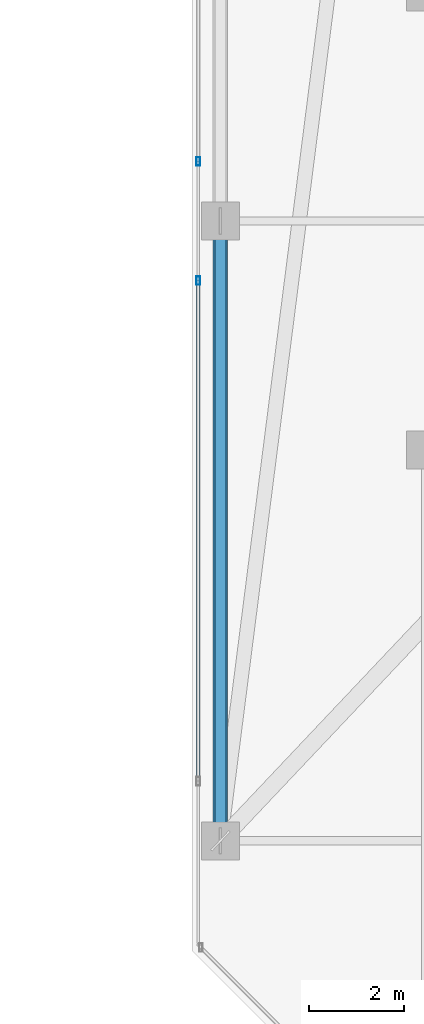
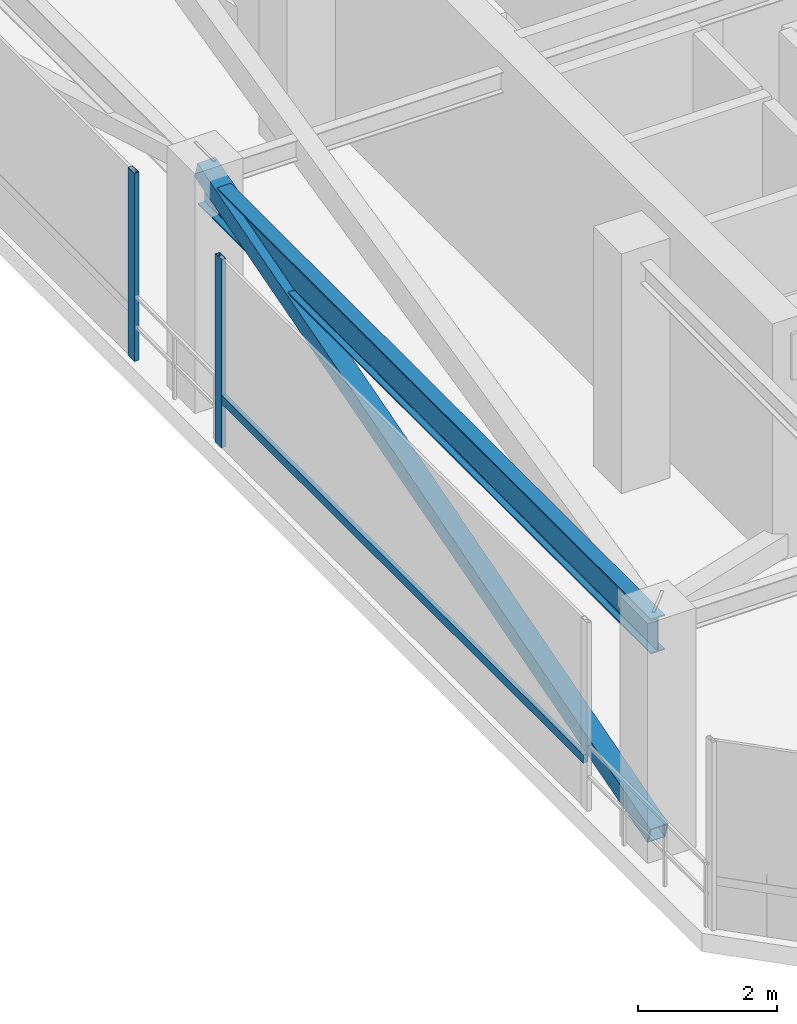
# One storey, part 18 of 47: 4 members, 1 beam, 2 elements without a shape of their own.
"""IFC4 building model written with IfcOpenShell, lengths in metres."""

from ifc_helpers import new_model, si_unit, direction, frame, origin, origin_2d, place, context, subcontext, project, spatial, hollow_rectangle, i_section, extrude, material, material_profile, profile_set, type_object, element, aggregate, save


model = new_model("IFC4")

# Units and contexts
model_context = context("Model", 3, precision=1e-05, world=origin(), true_north=direction((0.0, 1.0)))
body_context = subcontext(model_context, "Body", "Model", "MODEL_VIEW")
ifc_project = project(units=[si_unit("LENGTHUNIT", "METRE"), si_unit("AREAUNIT", "SQUARE_METRE"), si_unit("VOLUMEUNIT", "CUBIC_METRE"), si_unit("PLANEANGLEUNIT", "RADIAN"), si_unit("MASSUNIT", "GRAM", prefix="KILO")], contexts=[model_context])

# Site, building, storey
site_placement = place(None, origin())
site = spatial("IfcSite", under=ifc_project, at=site_placement, CompositionType="ELEMENT")
building_placement = place(site_placement, origin())
building = spatial("IfcBuilding", under=site, at=building_placement, Name="Thornwick Lancets Civic Towers", CompositionType="ELEMENT")
storey_placement = place(building_placement, frame((0.0, 0.0, 279.89990234375)))
storey = spatial("IfcBuildingStorey", under=building, at=storey_placement, Name="C01", CompositionType="ELEMENT", Elevation=279.89990234375)

# Beam
ifc_material_1 = material(Name="Steel S355JR", Category="steel")
ifc_material_profile_1 = material_profile(ifc_material_1, i_section(OverallWidth=0.230224609375, OverallDepth=0.6171875, WebThickness=0.01318359375, FlangeThickness=0.022216796875, FilletRadius=0.0126953125, at=origin_2d()), Name="UKB 610x229x140")
ifc_profile_set_1 = profile_set([ifc_material_profile_1], Name="Steel S355JR")
beam_type = type_object("IfcBeamType", Name="BM_GIRD_610_140", PredefinedType="BEAM", material=ifc_profile_set_1)
beam_placement = place(storey_placement, frame((71.199951171875, 14.0, 3.631591796875), z_axis=(0.0, 1.0, 0.0), x_axis=(-1.0, 0.0, 0.0)))
element("IfcBeam", 1, at=beam_placement, inside=storey, type_object=beam_type, Name="BM-SPINE-C01-B-6-7", PredefinedType="BEAM", context=body_context, shape_type="SweptSolid", body=[
    extrude(i_section(OverallWidth=0.230224609375, OverallDepth=0.6171875, WebThickness=0.01318359375, FlangeThickness=0.022216796875, FilletRadius=0.0126953125, at=origin_2d()), origin(), (0.0, 0.0, 1.0), 13.0),
])

# Curtain wall, member
ifc_material_2 = material(Name="Crown ring acoustic-louvre and glazing screen wall", Category="glass")
curtain_wall_type = type_object("IfcCurtainWallType", Name="CW_SYS_07", PredefinedType="NOTDEFINED", material=ifc_material_2)
curtain_wall_1_placement = place(storey_placement, origin())
curtain_wall_1 = element("IfcCurtainWall", 2, at=curtain_wall_1_placement, inside=storey, type_object=curtain_wall_type, Name="C01 Curtain Wall CW-C01-B-E6-S2", PredefinedType="NOTDEFINED")
ifc_material_3 = material(Name="Thermally broken bronze aluminium S355", Category="steel")
ifc_material_profile_2 = material_profile(ifc_material_3, hollow_rectangle(XDim=0.074951171875, YDim=0.179931640625, WallThickness=0.006103515625, at=origin_2d()), Name="RHS 180x75x6")
ifc_profile_set_2 = profile_set([ifc_material_profile_2], Name="Thermally broken bronze aluminium S355")
member_type_1 = type_object("IfcMemberType", Name="CW_MUL_180", PredefinedType="MULLION", material=ifc_profile_set_2)
member_1_placement = place(storey_placement, frame((70.7353515625, 28.25, 0.0), z_axis=(0.0, 0.0, 1.0), x_axis=(1.0, 0.0, 0.0)))
member_1 = element("IfcMember", 3, at=member_1_placement, type_object=member_type_1, Name="CW-C01-B-E6-S2 Mullion 1", PredefinedType="MULLION", context=body_context, shape_type="SweptSolid", body=[
    extrude(hollow_rectangle(XDim=0.074951171875, YDim=0.179931640625, WallThickness=0.006103515625, at=origin_2d()), origin(), (0.0, 0.0, 1.0), 3.300048828125),
])
aggregate(curtain_wall_1, [member_1])

# Curtain wall, members
curtain_wall_2_placement = place(storey_placement, origin())
curtain_wall_2 = element("IfcCurtainWall", 4, at=curtain_wall_2_placement, inside=storey, type_object=curtain_wall_type, Name="C01 Curtain Wall CW-C01-B-E6-S3", PredefinedType="NOTDEFINED")
member_2_placement = place(storey_placement, frame((70.7353515625, 25.75, 0.0), z_axis=(0.0, 0.0, 1.0), x_axis=(1.0, 0.0, 0.0)))
member_2 = element("IfcMember", 5, at=member_2_placement, type_object=member_type_1, Name="CW-C01-B-E6-S3 Mullion 0", PredefinedType="MULLION", context=body_context, shape_type="SweptSolid", body=[
    extrude(hollow_rectangle(XDim=0.074951171875, YDim=0.179931640625, WallThickness=0.006103515625, at=origin_2d()), origin(), (0.0, 0.0, 1.0), 3.300048828125),
])
ifc_material_profile_3 = material_profile(ifc_material_3, hollow_rectangle(XDim=0.074951171875, YDim=0.14990234375, WallThickness=0.0048828125, at=origin_2d()), Name="RHS 150x75x5")
ifc_profile_set_3 = profile_set([ifc_material_profile_3], Name="Thermally broken bronze aluminium S355")
member_type_2 = type_object("IfcMemberType", Name="CW_TRN_150", PredefinedType="USERDEFINED", material=ifc_profile_set_3)
member_3_placement = place(storey_placement, frame((70.7353515625, 25.72998046875, 0.85009765625), z_axis=(0.0, -1.0, 0.0), x_axis=(1.0, 0.0, 0.0)))
member_3 = element("IfcMember", 6, at=member_3_placement, type_object=member_type_2, Name="CW-C01-B-E6-S3 Transom 0", ObjectType="TRANSOM", PredefinedType="USERDEFINED", context=body_context, shape_type="SweptSolid", body=[
    extrude(hollow_rectangle(XDim=0.074951171875, YDim=0.14990234375, WallThickness=0.0048828125, at=origin_2d()), origin(), (0.0, 0.0, 1.0), 10.4599609375),
])
aggregate(curtain_wall_2, [member_2, member_3])

# Member
ifc_material_4 = material(Name="Steel S460M", Category="steel")
ifc_material_profile_4 = material_profile(ifc_material_4, hollow_rectangle(XDim=0.300048828125, YDim=0.300048828125, WallThickness=0.01611328125, at=origin_2d()), Name="SHS 300x300x16")
ifc_profile_set_4 = profile_set([ifc_material_profile_4], Name="Steel S460M")
member_type_3 = type_object("IfcMemberType", Name="MEM_BELT_SHS300", PredefinedType="BRACE", material=ifc_profile_set_4)
member_4_placement = place(storey_placement, frame((71.199951171875, 14.0, 0.150146484375), z_axis=(0.0, 0.960032302388, 0.279889225178), x_axis=(-1.0, 0.0, 0.0)))
element("IfcMember", 7, at=member_4_placement, inside=storey, type_object=member_type_3, Name="C01 Belt Truss Diagonal B-S2-1", PredefinedType="BRACE", context=body_context, shape_type="SweptSolid", body=[
    extrude(hollow_rectangle(XDim=0.300048828125, YDim=0.300048828125, WallThickness=0.01611328125, at=origin_2d()), origin(), (0.0, 0.0, 1.0), 13.541259765625),
])

save(model, "model.ifc")
